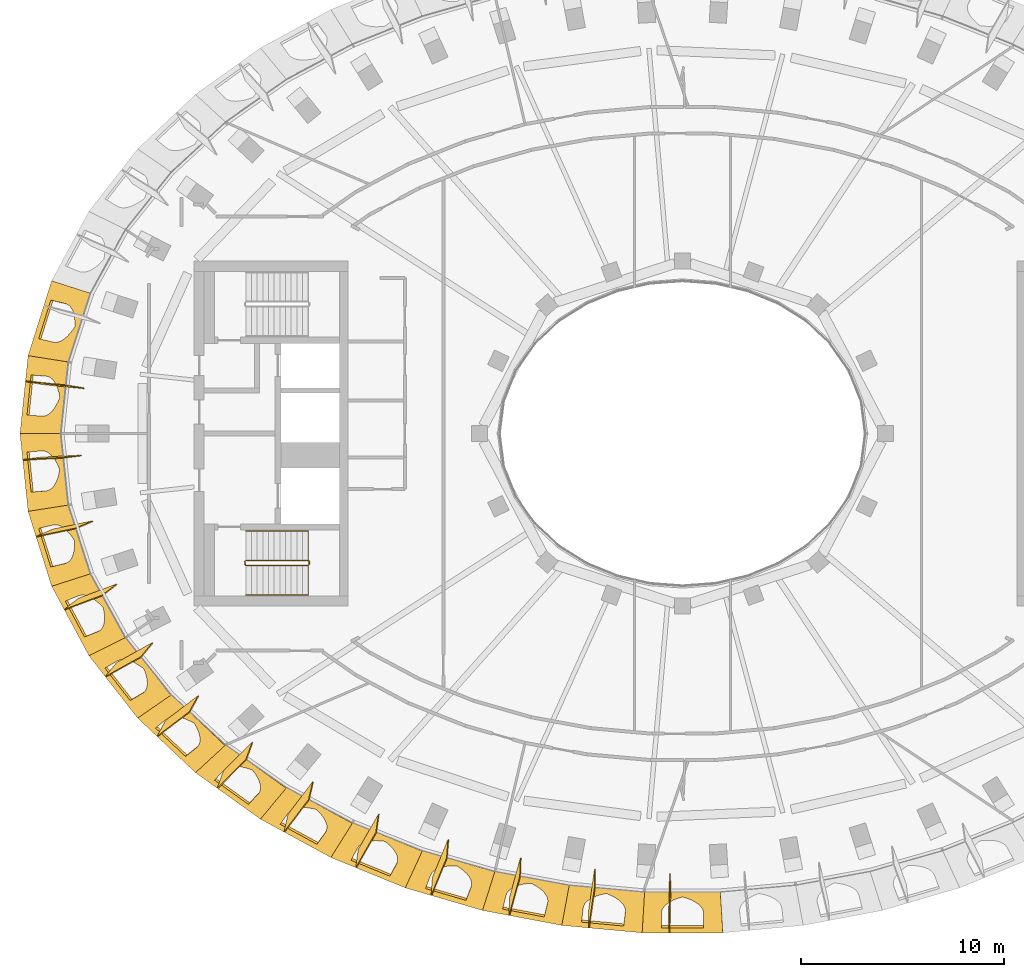
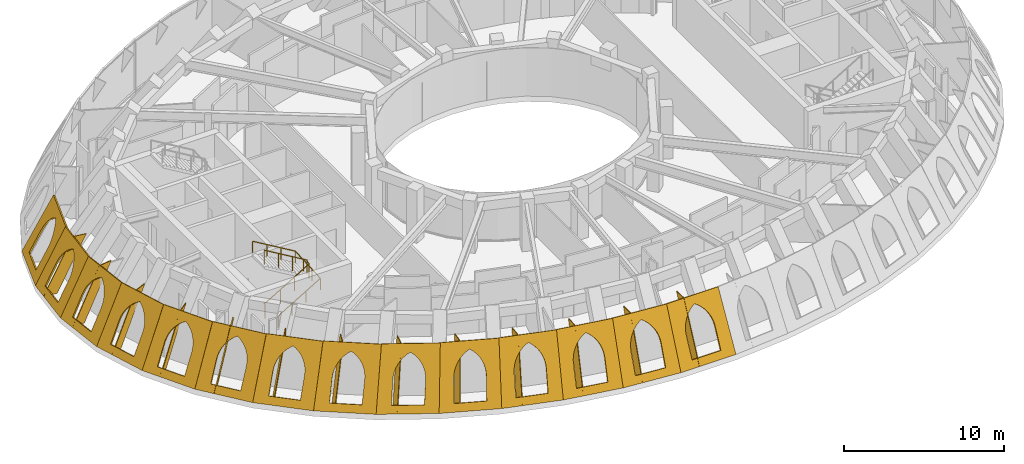
# One storey, part 10 of 13: 27 coverings, 2 railings.
"""IFC4 building model written with IfcOpenShell, lengths in metres."""

from ifc_helpers import new_model, si_unit, direction, frame, origin, origin_2d, place, context, subcontext, project, spatial, polyline, rectangle, outline, extrude, material, layer, layer_set, type_object, element, save


model = new_model("IFC4")

# Units and contexts
model_context = context("Model", 3, precision=1e-05, world=origin(), true_north=direction((0.0, 1.0)))
body_context = subcontext(model_context, "Body", "Model", "MODEL_VIEW")
ifc_project = project(units=[si_unit("LENGTHUNIT", "METRE"), si_unit("AREAUNIT", "SQUARE_METRE"), si_unit("VOLUMEUNIT", "CUBIC_METRE"), si_unit("PLANEANGLEUNIT", "RADIAN"), si_unit("MASSUNIT", "GRAM", prefix="KILO")], contexts=[model_context])

# Site, building, storey
site_placement = place(None, origin())
site = spatial("IfcSite", under=ifc_project, at=site_placement, CompositionType="ELEMENT")
building_placement = place(site_placement, origin())
building = spatial("IfcBuilding", under=site, at=building_placement, Name="Noorbagh Ring Tower", CompositionType="ELEMENT")
storey_placement = place(building_placement, frame((0.0, 0.0, 347.0)))
storey = spatial("IfcBuildingStorey", under=building, at=storey_placement, Name="L76", CompositionType="ELEMENT", Elevation=347.0)

# Railings
ifc_material_1 = material(Name="Stainless steel", Category="steel")
railing_type_1 = type_object("IfcRailingType", Name="CORE-STAIR-GUARD", PredefinedType="GUARDRAIL", material=ifc_material_1)
railing_1_placement = place(storey_placement, frame((-21.580078125, -6.449951171875, 0.0)))
element("IfcRailing", 1, at=railing_1_placement, inside=storey, type_object=railing_type_1, Name="L76 ST2 stair guard", PredefinedType="GUARDRAIL", context=body_context, shape_type="SweptSolid", body=[
    extrude(rectangle(XDim=0.048095703125, YDim=0.048095703125, at=origin_2d()), frame((0.0, 0.0, 1.076171875), z_axis=(0.0, 1.0, 0.0), x_axis=(-1.0, 0.0, 0.0)), (0.0, 0.0, 1.0), 0.14990234375),
    extrude(rectangle(XDim=0.048095703125, YDim=0.048095703125, at=origin_2d()), frame((0.0, 0.14990234375, 1.076171875), z_axis=(0.188775798145, -0.754182335027, 0.628945707965), x_axis=(0.970072785993, 0.242814311512, 0.0)), (0.0, 0.0, 1.0), 0.26513671875),
    extrude(rectangle(XDim=0.048095703125, YDim=0.048095703125, at=origin_2d()), frame((0.050048828125, -0.050048828125, 1.24267578125), z_axis=(0.859308565015, 0.0, 0.511457515432), x_axis=(0.0, 1.0, 0.0)), (0.0, 0.0, 1.0), 3.58447265625),
    extrude(rectangle(XDim=0.048095703125, YDim=0.048095703125, at=origin_2d()), frame((3.130126953125, -0.050048828125, 3.076171875), z_axis=(0.707106781187, 0.707106781187, 0.0), x_axis=(-0.707106781187, 0.707106781187, 0.0)), (0.0, 0.0, 1.0), 0.07080078125),
    extrude(rectangle(XDim=0.048095703125, YDim=0.048095703125, at=origin_2d()), frame((3.18017578125, 0.0, 3.076171875), z_axis=(0.0, 1.0, 0.0), x_axis=(-1.0, 0.0, 0.0)), (0.0, 0.0, 1.0), 0.14990234375),
    extrude(rectangle(XDim=0.048095703125, YDim=0.048095703125, at=origin_2d()), frame((3.18017578125, 0.14990234375, 3.076171875), z_axis=(-0.27628659633, 0.27628659633, 0.920506074601), x_axis=(-0.707106781187, -0.707106781187, 0.0)), (0.0, 0.0, 1.0), 0.18115234375),
    extrude(rectangle(XDim=0.048095703125, YDim=0.048095703125, at=origin_2d()), frame((3.130126953125, 0.199951171875, 3.24267578125), z_axis=(-0.859308565015, 0.0, 0.511457515432), x_axis=(0.0, -1.0, 0.0)), (0.0, 0.0, 1.0), 3.58447265625),
    extrude(rectangle(XDim=0.0419921875, YDim=0.0419921875, at=origin_2d()), origin(), (0.0, 0.0, 1.0), 1.052001953125),
    extrude(rectangle(XDim=0.0419921875, YDim=0.0419921875, at=origin_2d()), frame((1.07666015625, -0.050048828125, 0.77783203125)), (0.0, 0.0, 1.0), 1.052001953125),
    extrude(rectangle(XDim=0.0419921875, YDim=0.0419921875, at=origin_2d()), frame((2.103515625, -0.050048828125, 1.388916015625)), (0.0, 0.0, 1.0), 1.052001953125),
    extrude(rectangle(XDim=0.0419921875, YDim=0.0419921875, at=origin_2d()), frame((3.130126953125, -0.050048828125, 2.0)), (0.0, 0.0, 1.0), 1.052001953125),
    extrude(rectangle(XDim=0.0419921875, YDim=0.0419921875, at=origin_2d()), frame((3.130126953125, 0.199951171875, 2.166748046875)), (0.0, 0.0, 1.0), 1.052001953125),
    extrude(rectangle(XDim=0.0419921875, YDim=0.0419921875, at=origin_2d()), frame((2.103515625, 0.199951171875, 2.77783203125)), (0.0, 0.0, 1.0), 1.052001953125),
    extrude(rectangle(XDim=0.0419921875, YDim=0.0419921875, at=origin_2d()), frame((1.07666015625, 0.199951171875, 3.388916015625)), (0.0, 0.0, 1.0), 1.052001953125),
    extrude(rectangle(XDim=0.0419921875, YDim=0.0419921875, at=origin_2d()), frame((0.050048828125, 0.199951171875, 4.0)), (0.0, 0.0, 1.0), 1.052001953125),
])
ifc_material_2 = material(Name="Stainless steel", Category="steel")
railing_type_2 = type_object("IfcRailingType", Name="CORE-STAIR-HANDRAIL", PredefinedType="HANDRAIL", material=ifc_material_2)
railing_2_placement = place(storey_placement, frame((-21.530029296875, -7.949951171875, 0.166748046875)))
element("IfcRailing", 2, at=railing_2_placement, inside=storey, type_object=railing_type_2, Name="L76 ST2 stair handrail", PredefinedType="HANDRAIL", context=body_context, shape_type="SweptSolid", body=[
    extrude(rectangle(XDim=0.048095703125, YDim=0.048095703125, at=origin_2d()), frame((0.0, 0.0, 0.8759765625), z_axis=(0.859308565015, 0.0, 0.511457515432), x_axis=(0.0, 1.0, 0.0)), (0.0, 0.0, 1.0), 3.58447265625),
    extrude(rectangle(XDim=0.048095703125, YDim=0.048095703125, at=origin_2d()), frame((3.080078125, 0.0, 2.708984375), z_axis=(0.0, 0.998601747152, 0.052863509014), x_axis=(-1.0, 0.0, 0.0)), (0.0, 0.0, 1.0), 3.154296875),
    extrude(rectangle(XDim=0.048095703125, YDim=0.048095703125, at=origin_2d()), frame((3.080078125, 3.14990234375, 2.8759765625), z_axis=(-0.859308565015, 0.0, 0.511457515432), x_axis=(0.0, -1.0, 0.0)), (0.0, 0.0, 1.0), 3.58447265625),
    extrude(rectangle(XDim=0.0419921875, YDim=0.0419921875, at=origin_2d()), origin(), (0.0, 0.0, 1.0), 0.851806640625),
    extrude(rectangle(XDim=0.0419921875, YDim=0.0419921875, at=origin_2d()), frame((1.026611328125, 0.0, 0.611083984375)), (0.0, 0.0, 1.0), 0.851806640625),
    extrude(rectangle(XDim=0.0419921875, YDim=0.0419921875, at=origin_2d()), frame((2.053466796875, 0.0, 1.22216796875)), (0.0, 0.0, 1.0), 0.851806640625),
    extrude(rectangle(XDim=0.0419921875, YDim=0.0419921875, at=origin_2d()), frame((3.080078125, 0.0, 1.833251953125)), (0.0, 0.0, 1.0), 0.851806640625),
    extrude(rectangle(XDim=0.0419921875, YDim=0.0419921875, at=origin_2d()), frame((3.080078125, 1.050048828125, 1.888916015625)), (0.0, 0.0, 1.0), 0.851806640625),
    extrude(rectangle(XDim=0.0419921875, YDim=0.0419921875, at=origin_2d()), frame((3.080078125, 2.099853515625, 1.9443359375)), (0.0, 0.0, 1.0), 0.851806640625),
    extrude(rectangle(XDim=0.0419921875, YDim=0.0419921875, at=origin_2d()), frame((3.080078125, 3.14990234375, 2.0)), (0.0, 0.0, 1.0), 0.851806640625),
    extrude(rectangle(XDim=0.0419921875, YDim=0.0419921875, at=origin_2d()), frame((2.053466796875, 3.14990234375, 2.611083984375)), (0.0, 0.0, 1.0), 0.851806640625),
    extrude(rectangle(XDim=0.0419921875, YDim=0.0419921875, at=origin_2d()), frame((1.026611328125, 3.14990234375, 3.22216796875)), (0.0, 0.0, 1.0), 0.851806640625),
    extrude(rectangle(XDim=0.0419921875, YDim=0.0419921875, at=origin_2d()), frame((0.0, 3.14990234375, 3.833251953125)), (0.0, 0.0, 1.0), 0.851806640625),
])

# Coverings
ifc_material_3 = material(Name="Aluminium 6063-T6 black anodised", Category="aluminium")
ifc_layer_1 = layer(ifc_material_3, 0.050048828125)
ifc_layer_set_1 = layer_set([ifc_layer_1], Name="Aluminium 6063-T6 black anodised")
covering_type_1 = type_object("IfcCoveringType", Name="STYLE-HEAD-FIN", PredefinedType="CLADDING", material=ifc_layer_set_1)
covering_1_placement = place(storey_placement, frame((-32.395263671875, 2.55908203125, 0.0), z_axis=(-0.152266223967, -0.988035595767, 0.024508336039), x_axis=(0.447786422515, -0.046859612406, 0.892911807815)))
element("IfcCovering", 3, at=covering_1_placement, inside=storey, type_object=covering_type_1, Name="Fin rib F23 L76", ObjectType="FIN", PredefinedType="CLADDING", context=body_context, shape_type="SweptSolid", body=[
    extrude(outline(polyline([(0.0, 0.0), (4.478362446729819, 2.220446049250313e-16), (4.883055083301, -0.8037970037599129), (0.4047905190931795, -0.8039762384741336), (0.0, 0.0)])), origin(), (0.0, 0.0, -1.0), 0.050048828125),
])
covering_2_placement = place(storey_placement, frame((-32.52783203125, -1.279541015625, 0.0), z_axis=(-0.128911329579, 0.99089570896, 0.038827349512), x_axis=(0.448635865822, 0.023358188876, 0.89340934342)))
element("IfcCovering", 4, at=covering_2_placement, inside=storey, type_object=covering_type_1, Name="Fin rib F24 L76", ObjectType="FIN", PredefinedType="CLADDING", context=body_context, shape_type="SweptSolid", body=[
    extrude(outline(polyline([(0.0, 0.0), (4.478602590299864, 0.0), (4.881650097009732, 0.8045605100730973), (0.4030418040270383, 0.8045281394852348), (0.0, 0.0)])), origin(), (0.0, 0.0, -1.0), 0.050048828125),
])
covering_3_placement = place(storey_placement, frame((-31.875244140625, -5.069091796875, 0.0), z_axis=(-0.39159249421, 0.914930687955, 0.097760701289), x_axis=(0.438846254761, 0.092323644473, 0.893806639802)))
element("IfcCovering", 5, at=covering_3_placement, inside=storey, type_object=covering_type_1, Name="Fin rib F25 L76", ObjectType="FIN", PredefinedType="CLADDING", context=body_context, shape_type="SweptSolid", body=[
    extrude(outline(polyline([(0.0, 0.0), (4.478506413757497, 0.0), (4.874287478667474, 0.8082416595063522), (0.3958036048622417, 0.8083375847722325), (0.0, 0.0)])), origin(), (0.0, 0.0, -1.0), 0.050048828125),
])
covering_4_placement = place(storey_placement, frame((-30.488525390625, -8.670166015625, 0.0), z_axis=(-0.604780825543, 0.782981166417, 0.145535721018), x_axis=(0.419244163894, 0.157640928264, 0.894082584987)))
element("IfcCovering", 6, at=covering_4_placement, inside=storey, type_object=covering_type_1, Name="Fin rib F26 L76", ObjectType="FIN", PredefinedType="CLADDING", context=body_context, shape_type="SweptSolid", body=[
    extrude(outline(polyline([(0.0, 0.0), (4.478771237305574, 2.220446049250313e-16), (4.864049615591115, 0.8131934519856807), (0.38541921937249257, 0.8135056703559531), (0.0, 0.0)])), origin(), (0.0, 0.0, -1.0), 0.050048828125),
])
covering_5_placement = place(storey_placement, frame((-28.46240234375, -11.977294921875, 0.0), z_axis=(-0.758388473528, 0.626674691482, 0.179236587436), x_axis=(0.391166048107, 0.217623103084, 0.894219943757)))
element("IfcCovering", 7, at=covering_5_placement, inside=storey, type_object=covering_type_1, Name="Fin rib F27 L76", ObjectType="FIN", PredefinedType="CLADDING", context=body_context, shape_type="SweptSolid", body=[
    extrude(outline(polyline([(0.0, 0.0), (4.4786481802036056, -2.220446049250313e-16), (4.853878341316884, 0.8180669263283444), (0.3751770304728771, 0.8178842414246023), (0.0, 0.0)])), origin(), (0.0, 0.0, -1.0), 0.050048828125),
])
covering_6_placement = place(storey_placement, frame((-25.91015625, -14.92529296875, 0.0), z_axis=(-0.858666056059, 0.472472389415, 0.198651567857), x_axis=(0.356099462529, 0.271190813205, 0.8942307955)))
element("IfcCovering", 8, at=covering_6_placement, inside=storey, type_object=covering_type_1, Name="Fin rib F28 L76", ObjectType="FIN", PredefinedType="CLADDING", context=body_context, shape_type="SweptSolid", body=[
    extrude(outline(polyline([(0.0, 0.0), (4.478864327286876, 0.0), (4.847207850618184, 0.8212110930282253), (0.3682773146366782, 0.8210063602775113), (0.0, 0.0)])), origin(), (0.0, 0.0, -1.0), 0.050048828125),
])
covering_7_placement = place(storey_placement, frame((-22.940673828125, -17.482666015625, 0.0), z_axis=(-0.9193034568, 0.33604232368, 0.204833373774), x_axis=(0.315411030488, 0.317840806041, 0.894143782544)))
element("IfcCovering", 9, at=covering_7_placement, inside=storey, type_object=covering_type_1, Name="Fin rib F29 L76", ObjectType="FIN", PredefinedType="CLADDING", context=body_context, shape_type="SweptSolid", body=[
    extrude(outline(polyline([(0.0, 0.0), (4.479040034743007, 0.0), (4.8450946792935445, 0.822054109770618), (0.3661316491966529, 0.8221115721118696), (0.0, 0.0)])), origin(), (0.0, 0.0, -1.0), 0.050048828125),
])
covering_8_placement = place(storey_placement, frame((-19.648681640625, -19.639892578125, 0.0), z_axis=(-0.953982686729, 0.224638531499, 0.198631728552), x_axis=(0.270289196413, 0.357342424054, 0.894007909514)))
element("IfcCovering", 10, at=covering_8_placement, inside=storey, type_object=covering_type_1, Name="Fin rib F30 L76", ObjectType="FIN", PredefinedType="CLADDING", context=body_context, shape_type="SweptSolid", body=[
    extrude(outline(polyline([(0.0, 0.0), (4.4791549777732005, -2.220446049250313e-16), (4.848026152308753, 0.8211309170378556), (0.36878393273280546, 0.820909589870432), (0.0, 0.0)])), origin(), (0.0, 0.0, -1.0), 0.050048828125),
])
covering_9_placement = place(storey_placement, frame((-16.113037109375, -21.399169921875, 0.0), z_axis=(-0.973573118224, 0.139539254818, 0.180787665054), x_axis=(0.221833910082, 0.389708220413, 0.893821693225)))
element("IfcCovering", 11, at=covering_9_placement, inside=storey, type_object=covering_type_1, Name="Fin rib F31 L76", ObjectType="FIN", PredefinedType="CLADDING", context=body_context, shape_type="SweptSolid", body=[
    extrude(outline(polyline([(0.0, 0.0), (4.47926263114978, -2.220446049250313e-16), (4.854766642688217, 0.8178925124472254), (0.3755040115384371, 0.8178925124472257), (0.0, 0.0)])), origin(), (0.0, 0.0, -1.0), 0.050048828125),
])
covering_10_placement = place(storey_placement, frame((-12.397705078125, -22.7685546875, 0.0), z_axis=(-0.985288966113, 0.078297558336, 0.151905054606), x_axis=(0.170756697818, 0.415086650524, 0.893613575718)))
element("IfcCovering", 12, at=covering_10_placement, inside=storey, type_object=covering_type_1, Name="Fin rib F32 L76", ObjectType="FIN", PredefinedType="CLADDING", context=body_context, shape_type="SweptSolid", body=[
    extrude(outline(polyline([(0.0, 0.0), (4.479484583037786, 0.0), (4.863979043435264, 0.8135146503441781), (0.384595799911766, 0.813735940969576), (0.0, 0.0)])), origin(), (0.0, 0.0, -1.0), 0.050048828125),
])
covering_11_placement = place(storey_placement, frame((-8.555419921875, -23.75634765625, 0.0), z_axis=(-0.992880360929, 0.036384052314, 0.113423055942), x_axis=(0.117945221911, 0.433465041525, 0.893418704977)))
element("IfcCovering", 13, at=covering_11_placement, inside=storey, type_object=covering_type_1, Name="Fin rib F33 L76", ObjectType="FIN", PredefinedType="CLADDING", context=body_context, shape_type="SweptSolid", body=[
    extrude(outline(polyline([(0.0, 0.0), (4.4793702020163035, 2.220446049250313e-16), (4.87312211069255, 0.8093153803602142), (0.39375190867624704, 0.809315380360214), (0.0, 0.0)])), origin(), (0.0, 0.0, -1.0), 0.050048828125),
])
covering_12_placement = place(storey_placement, frame((-4.630615234375, -24.3701171875, 0.0), z_axis=(-0.997700815482, 0.008255527638, 0.067267592869), x_axis=(0.063904160046, 0.4451224172, 0.893186594187)))
element("IfcCovering", 14, at=covering_12_placement, inside=storey, type_object=covering_type_1, Name="Fin rib F34 L76", ObjectType="FIN", PredefinedType="CLADDING", context=body_context, shape_type="SweptSolid", body=[
    extrude(outline(polyline([(0.0, 0.0), (4.479431729096197, 0.0), (4.880482085238831, 0.8056302535006488), (0.4010347545410606, 0.8056357634095654), (0.0, 0.0)])), origin(), (0.0, 0.0, -1.0), 0.050048828125),
])
covering_13_placement = place(storey_placement, frame((-0.6630859375, -24.61474609375, 0.0), z_axis=(-0.999794258075, -0.012068586596, 0.01630308981), x_axis=(0.009129706454, 0.449983821033, 0.892990038729)))
element("IfcCovering", 15, at=covering_13_placement, inside=storey, type_object=covering_type_1, Name="Fin rib F35 L76", ObjectType="FIN", PredefinedType="CLADDING", context=body_context, shape_type="SweptSolid", body=[
    extrude(outline(polyline([(0.0, 0.0), (4.479331025868299, 4.440892098500626e-16), (4.884284307378394, 0.8039850200484864), (0.40484119324654855, 0.8037714355999009), (0.0, 0.0)])), origin(), (0.0, 0.0, -1.0), 0.050048828125),
])
ifc_material_4 = material(Name="Red sandstone jali", Category="masonry")
ifc_layer_2 = layer(ifc_material_4, 0.1201171875)
ifc_layer_set_2 = layer_set([ifc_layer_2], Name="Red sandstone jali")
covering_type_2 = type_object("IfcCoveringType", Name="STYLE-HEAD-SKIN", PredefinedType="CLADDING", material=ifc_layer_set_2)
covering_14_placement = place(storey_placement, frame((-31.10107421875, 7.529296875, 0.0), z_axis=(-0.85150709208, 0.267962727309, 0.450701285676), x_axis=(-0.300180845028, -0.953882309444, -2.691977e-06)))
element("IfcCovering", 16, at=covering_14_placement, inside=storey, type_object=covering_type_2, Name="Head skin panel", ObjectType="HEAD SKIN", PredefinedType="CLADDING", context=body_context, shape_type="SweptSolid", body=[
    extrude(outline(polyline([(0.0, 0.0), (3.868896484375, 0.0), (3.570068359375, 4.48095703125), (0.010986328125, 4.48095703125), (0.0, 0.0)]), holes=[polyline([(0.920166015625, 0.550048828125), (0.866943359375, 2.204833984375), (0.875732421875, 2.465087890625), (0.91845703125, 2.720703125), (0.994140625, 2.967529296875), (1.10205078125, 3.201416015625), (1.239990234375, 3.418212890625), (1.405517578125, 3.6142578125), (1.595947265625, 3.7861328125), (1.80810546875, 3.930908203125), (2.029541015625, 3.7861328125), (2.23095703125, 3.6142578125), (2.4091796875, 3.418212890625), (2.56103515625, 3.201416015625), (2.683837890625, 2.967529296875), (2.775634765625, 2.720703125), (2.834716796875, 2.465087890625), (2.860107421875, 2.204833984375), (2.913330078125, 0.550048828125), (0.920166015625, 0.550048828125)])]), origin(), (0.0, 0.0, -1.0), 0.1201171875),
])
covering_15_placement = place(storey_placement, frame((-32.262451171875, 3.8388671875, 0.0), z_axis=(-0.888162791936, 0.092105334787, 0.450203800877), x_axis=(-0.103154741778, -0.994665320176, -9.376072e-06)))
element("IfcCovering", 17, at=covering_15_placement, inside=storey, type_object=covering_type_2, Name="Head skin panel", ObjectType="HEAD SKIN", PredefinedType="CLADDING", context=body_context, shape_type="SweptSolid", body=[
    extrude(outline(polyline([(0.0, 0.0), (3.859375, 0.0), (3.65087890625, 4.479736328125), (0.10693359375, 4.479736328125), (0.0, 0.0)]), holes=[polyline([(0.93115234375, 0.550048828125), (0.912353515625, 2.2109375), (0.926513671875, 2.469970703125), (0.97412109375, 2.724609375), (1.0546875, 2.970458984375), (1.1669921875, 3.203125), (1.308837890625, 3.419189453125), (1.477783203125, 3.6142578125), (1.6708984375, 3.785400390625), (1.88525390625, 3.9296875), (2.102783203125, 3.785400390625), (2.2998046875, 3.6142578125), (2.47314453125, 3.419189453125), (2.619873046875, 3.203125), (2.7373046875, 2.970458984375), (2.823486328125, 2.724609375), (2.877197265625, 2.469970703125), (2.89697265625, 2.2109375), (2.915771484375, 0.550048828125), (0.93115234375, 0.550048828125)])]), origin(), (0.0, 0.0, -1.0), 0.1201171875),
])
covering_16_placement = place(storey_placement, frame((-32.66064453125, 0.0, 0.0), z_axis=(-0.888871989762, -0.092205292931, 0.448781427615), x_axis=(0.103178063851, -0.994662901256, -2.436069e-06)))
element("IfcCovering", 18, at=covering_16_placement, inside=storey, type_object=covering_type_2, Name="Head skin panel", ObjectType="HEAD SKIN", PredefinedType="CLADDING", context=body_context, shape_type="SweptSolid", body=[
    extrude(outline(polyline([(0.0, 0.0), (3.859375, 0.0), (3.752685546875, 4.47607421875), (0.208251953125, 4.47607421875), (0.0, 0.0)]), holes=[polyline([(0.943603515625, 0.550048828125), (0.96240234375, 2.207275390625), (0.982421875, 2.46630859375), (1.035888671875, 2.720947265625), (1.1220703125, 2.966796875), (1.239501953125, 3.19970703125), (1.38623046875, 3.41552734375), (1.5595703125, 3.610595703125), (1.756591796875, 3.781982421875), (1.97412109375, 3.926025390625), (2.1884765625, 3.781982421875), (2.381591796875, 3.610595703125), (2.550537109375, 3.41552734375), (2.6923828125, 3.19970703125), (2.8046875, 2.966796875), (2.88525390625, 2.720947265625), (2.93310546875, 2.46630859375), (2.947021484375, 2.207275390625), (2.92822265625, 0.550048828125), (0.943603515625, 0.550048828125)])]), origin(), (0.0, 0.0, -1.0), 0.1201171875),
])
covering_17_placement = place(storey_placement, frame((-32.262451171875, -3.8388671875, 0.0), z_axis=(-0.853413929482, -0.268562794361, 0.446719923947), x_axis=(0.300180822224, -0.953882316621, 2.674172e-06)))
element("IfcCovering", 19, at=covering_17_placement, inside=storey, type_object=covering_type_2, Name="Head skin panel", ObjectType="HEAD SKIN", PredefinedType="CLADDING", context=body_context, shape_type="SweptSolid", body=[
    extrude(outline(polyline([(0.0, 0.0), (3.868896484375, 0.0), (3.85791015625, 4.470947265625), (0.298828125, 4.470947265625), (0.0, 0.0)]), holes=[polyline([(0.95556640625, 0.550048828125), (1.008544921875, 2.19482421875), (1.033935546875, 2.455078125), (1.09326171875, 2.710693359375), (1.184814453125, 2.957763671875), (1.3076171875, 3.19140625), (1.459716796875, 3.408203125), (1.6376953125, 3.604248046875), (1.83935546875, 3.776123046875), (2.060791015625, 3.9208984375), (2.27294921875, 3.776123046875), (2.46337890625, 3.604248046875), (2.62890625, 3.408203125), (2.766845703125, 3.19140625), (2.87451171875, 2.957763671875), (2.950439453125, 2.710693359375), (2.992919921875, 2.455078125), (3.001708984375, 2.19482421875), (2.94873046875, 0.550048828125), (0.95556640625, 0.550048828125)])]), origin(), (0.0, 0.0, -1.0), 0.1201171875),
])
covering_18_placement = place(storey_placement, frame((-31.10107421875, -7.529296875, 0.0), z_axis=(-0.789087292879, -0.423762595619, 0.444709463326), x_axis=(0.473120328565, -0.880997817646, -1.535086e-06)))
element("IfcCovering", 20, at=covering_18_placement, inside=storey, type_object=covering_type_2, Name="Head skin panel", ObjectType="HEAD SKIN", PredefinedType="CLADDING", context=body_context, shape_type="SweptSolid", body=[
    extrude(outline(polyline([(0.0, 0.0), (3.884521484375, 0.0), (3.95068359375, 4.4658203125), (0.366455078125, 4.4658203125), (0.0, 0.0)]), holes=[polyline([(0.965576171875, 0.550048828125), (1.044189453125, 2.177734375), (1.07421875, 2.439697265625), (1.137939453125, 2.697265625), (1.234375, 2.94580078125), (1.36181640625, 3.181396484375), (1.518310546875, 3.399658203125), (1.700927734375, 3.596923828125), (1.90673828125, 3.77001953125), (2.132080078125, 3.916015625), (2.34326171875, 3.77001953125), (2.5322265625, 3.596923828125), (2.69580078125, 3.399658203125), (2.831298828125, 3.181396484375), (2.935791015625, 2.94580078125), (3.00830078125, 2.697265625), (3.047119140625, 2.439697265625), (3.051513671875, 2.177734375), (2.97265625, 0.550048828125), (0.965576171875, 0.550048828125)])]), origin(), (0.0, 0.0, -1.0), 0.1201171875),
])
covering_19_placement = place(storey_placement, frame((-29.26318359375, -10.95166015625, 0.0), z_axis=(-0.706567962387, -0.551577734059, 0.443309956822), x_axis=(0.615351346925, -0.788252954147, 1.0757789e-05)))
element("IfcCovering", 21, at=covering_19_placement, inside=storey, type_object=covering_type_2, Name="Head skin panel", ObjectType="HEAD SKIN", PredefinedType="CLADDING", context=body_context, shape_type="SweptSolid", body=[
    extrude(outline(polyline([(0.0, 0.0), (3.903564453125, 0.0), (4.020263671875, 4.46240234375), (0.406494140625, 4.46240234375), (0.0, 0.0)]), holes=[polyline([(0.97216796875, 0.550048828125), (1.06640625, 2.159912109375), (1.099365234375, 2.42431640625), (1.166259765625, 2.683837890625), (1.26611328125, 2.934326171875), (1.39697265625, 3.171875), (1.556884765625, 3.391845703125), (1.7431640625, 3.5908203125), (1.952392578125, 3.765380859375), (2.18115234375, 3.91259765625), (2.392578125, 3.765380859375), (2.581298828125, 3.5908203125), (2.744140625, 3.391845703125), (2.87841796875, 3.171875), (2.9814453125, 2.934326171875), (3.052001953125, 2.683837890625), (3.08837890625, 2.42431640625), (3.090087890625, 2.159912109375), (2.99560546875, 0.550048828125), (0.97216796875, 0.550048828125)])]), origin(), (0.0, 0.0, -1.0), 0.1201171875),
])
covering_20_placement = place(storey_placement, frame((-26.861083984375, -14.028564453125, 0.0), z_axis=(-0.615197839234, -0.652271200106, 0.442802326229), x_axis=(0.727477581261, -0.686131451513, -2.595348e-06)))
element("IfcCovering", 22, at=covering_20_placement, inside=storey, type_object=covering_type_2, Name="Head skin panel", ObjectType="HEAD SKIN", PredefinedType="CLADDING", context=body_context, shape_type="SweptSolid", body=[
    extrude(outline(polyline([(0.0, 0.0), (3.92138671875, 0.0), (4.062255859375, 4.461181640625), (0.419921875, 4.461181640625), (0.0, 0.0)]), holes=[polyline([(0.9755859375, 0.550048828125), (1.07568359375, 2.14501953125), (1.10986328125, 2.4111328125), (1.178466796875, 2.6728515625), (1.280029296875, 2.92529296875), (1.4130859375, 3.164794921875), (1.5751953125, 3.386474609375), (1.763916015625, 3.587158203125), (1.975341796875, 3.762939453125), (2.20654296875, 3.911376953125), (2.419189453125, 3.762939453125), (2.608642578125, 3.587158203125), (2.77197265625, 3.386474609375), (2.90625, 3.164794921875), (3.00927734375, 2.92529296875), (3.0791015625, 2.6728515625), (3.11474609375, 2.4111328125), (3.115478515625, 2.14501953125), (3.01513671875, 0.550048828125), (0.9755859375, 0.550048828125)])]), origin(), (0.0, 0.0, -1.0), 0.1201171875),
])
covering_21_placement = place(storey_placement, frame((-24.00830078125, -16.71923828125, 0.0), z_axis=(-0.521443817269, -0.729186803852, 0.443151159899), x_axis=(0.813415611869, -0.581682939617, -1.1242022e-05)))
element("IfcCovering", 23, at=covering_21_placement, inside=storey, type_object=covering_type_2, Name="Head skin panel", ObjectType="HEAD SKIN", PredefinedType="CLADDING", context=body_context, shape_type="SweptSolid", body=[
    extrude(outline(polyline([(0.0, 0.0), (3.937744140625, 0.0), (4.078857421875, 4.462158203125), (0.4111328125, 4.4619140625), (0.0, 0.0)]), holes=[polyline([(0.975830078125, 0.550048828125), (1.073974609375, 2.13330078125), (1.108154296875, 2.4013671875), (1.1767578125, 2.664794921875), (1.27880859375, 2.919189453125), (1.41259765625, 3.160400390625), (1.57568359375, 3.3837890625), (1.765380859375, 3.585693359375), (1.978515625, 3.7626953125), (2.2109375, 3.912109375), (2.425048828125, 3.7626953125), (2.6162109375, 3.585693359375), (2.78076171875, 3.3837890625), (2.916259765625, 3.160400390625), (3.02001953125, 2.919189453125), (3.0908203125, 2.664794921875), (3.126953125, 2.4013671875), (3.127685546875, 2.13330078125), (3.02978515625, 0.550048828125), (0.975830078125, 0.550048828125)])]), origin(), (0.0, 0.0, -1.0), 0.1201171875),
])
covering_22_placement = place(storey_placement, frame((-20.805419921875, -19.009765625, 0.0), z_axis=(-0.428645159556, -0.78679907719, 0.444083932745), x_axis=(0.878141780594, -0.478400473435, 1.3899692e-05)))
element("IfcCovering", 24, at=covering_22_placement, inside=storey, type_object=covering_type_2, Name="Head skin panel", ObjectType="HEAD SKIN", PredefinedType="CLADDING", context=body_context, shape_type="SweptSolid", body=[
    extrude(outline(polyline([(0.0, 0.0), (3.951171875, 0.0), (4.073974609375, 4.46435546875), (0.385009765625, 4.46435546875), (0.0, 0.0)]), holes=[polyline([(0.97412109375, 0.550048828125), (1.0634765625, 2.12548828125), (1.096435546875, 2.39501953125), (1.164306640625, 2.66015625), (1.265625, 2.916015625), (1.39892578125, 3.158203125), (1.561767578125, 3.383056640625), (1.75146484375, 3.586181640625), (1.96484375, 3.764404296875), (2.197998046875, 3.914306640625), (2.414306640625, 3.764404296875), (2.607177734375, 3.586181640625), (2.773681640625, 3.383056640625), (2.9111328125, 3.158203125), (3.016845703125, 2.916015625), (3.089111328125, 2.66015625), (3.126953125, 2.39501953125), (3.129150390625, 2.12548828125), (3.039794921875, 0.550048828125), (0.97412109375, 0.550048828125)])]), origin(), (0.0, 0.0, -1.0), 0.1201171875),
])
covering_23_placement = place(storey_placement, frame((-17.335693359375, -20.89990234375, 0.0), z_axis=(-0.33839260244, -0.828933588975, 0.445375742136), x_axis=(0.925823732903, -0.377955573127, -1.8338063e-05)))
element("IfcCovering", 25, at=covering_23_placement, inside=storey, type_object=covering_type_2, Name="Head skin panel", ObjectType="HEAD SKIN", PredefinedType="CLADDING", context=body_context, shape_type="SweptSolid", body=[
    extrude(outline(polyline([(0.0, 0.0), (3.9619140625, 0.0), (4.051025390625, 4.467529296875), (0.345458984375, 4.467529296875), (0.0, 0.0)]), holes=[polyline([(0.97021484375, 0.550048828125), (1.04638671875, 2.12060546875), (1.077392578125, 2.391357421875), (1.143310546875, 2.65771484375), (1.2431640625, 2.914794921875), (1.375, 3.158203125), (1.536865234375, 3.3837890625), (1.7255859375, 3.587890625), (1.9384765625, 3.766845703125), (2.17138671875, 3.91748046875), (2.389892578125, 3.766845703125), (2.585205078125, 3.587890625), (2.75439453125, 3.3837890625), (2.89404296875, 3.158203125), (3.002197265625, 2.914794921875), (3.0771484375, 2.65771484375), (3.116943359375, 2.391357421875), (3.12158203125, 2.12060546875), (3.045166015625, 0.550048828125), (0.97021484375, 0.550048828125)])]), origin(), (0.0, 0.0, -1.0), 0.1201171875),
])
covering_24_placement = place(storey_placement, frame((-13.667724609375, -22.3974609375, 0.0), z_axis=(-0.250873399214, -0.858737088475, 0.446803256977), x_axis=(0.959878730523, -0.280415446382, 1.0957775e-05)))
element("IfcCovering", 26, at=covering_24_placement, inside=storey, type_object=covering_type_2, Name="Head skin panel", ObjectType="HEAD SKIN", PredefinedType="CLADDING", context=body_context, shape_type="SweptSolid", body=[
    extrude(outline(polyline([(0.0, 0.0), (3.969482421875, 0.0), (4.0146484375, 4.470947265625), (0.296630859375, 4.47119140625), (0.0, 0.0)]), holes=[polyline([(0.96484375, 0.550048828125), (1.02490234375, 2.117919921875), (1.052978515625, 2.389892578125), (1.116455078125, 2.656982421875), (1.2138671875, 2.914794921875), (1.343505859375, 3.158935546875), (1.503662109375, 3.385498046875), (1.69091796875, 3.59033203125), (1.902587890625, 3.769775390625), (2.135009765625, 3.921142578125), (2.35546875, 3.769775390625), (2.553466796875, 3.59033203125), (2.72509765625, 3.385498046875), (2.867919921875, 3.158935546875), (2.97900390625, 2.914794921875), (3.056640625, 2.656982421875), (3.099609375, 2.389892578125), (3.10693359375, 2.117919921875), (3.046875, 0.550048828125), (0.96484375, 0.550048828125)])]), origin(), (0.0, 0.0, -1.0), 0.1201171875),
])
covering_25_placement = place(storey_placement, frame((-9.857421875, -23.510498046875, 0.0), z_axis=(-0.165809822711, -0.878471832885, 0.448100816246), x_axis=(0.982649266911, -0.185473497402, -7.64294e-07)))
element("IfcCovering", 27, at=covering_25_placement, inside=storey, type_object=covering_type_2, Name="Head skin panel", ObjectType="HEAD SKIN", PredefinedType="CLADDING", context=body_context, shape_type="SweptSolid", body=[
    extrude(outline(polyline([(0.0, 0.0), (3.975341796875, 0.0), (3.968505859375, 4.474365234375), (0.241943359375, 4.474365234375), (0.0, 0.0)]), holes=[polyline([(0.95849609375, 0.550048828125), (0.999755859375, 2.1171875), (1.02490234375, 2.389404296875), (1.085205078125, 2.6572265625), (1.1796875, 2.915771484375), (1.306884765625, 3.16064453125), (1.464599609375, 3.3876953125), (1.64990234375, 3.5927734375), (1.85986328125, 3.772705078125), (2.0908203125, 3.92431640625), (2.313720703125, 3.772705078125), (2.514404296875, 3.5927734375), (2.68896484375, 3.3876953125), (2.834716796875, 3.16064453125), (2.948974609375, 2.915771484375), (3.02978515625, 2.6572265625), (3.075927734375, 2.389404296875), (3.086669921875, 2.1171875), (3.04541015625, 0.550048828125), (0.95849609375, 0.550048828125)])]), origin(), (0.0, 0.0, -1.0), 0.1201171875),
])
covering_26_placement = place(storey_placement, frame((-5.951171875, -24.247802734375, 0.0), z_axis=(-0.082408798805, -0.889607650951, 0.44922935929), x_axis=(0.995736905662, -0.092238900129, 2.339676e-06)))
element("IfcCovering", 28, at=covering_26_placement, inside=storey, type_object=covering_type_2, Name="Head skin panel", ObjectType="HEAD SKIN", PredefinedType="CLADDING", context=body_context, shape_type="SweptSolid", body=[
    extrude(outline(polyline([(0.0, 0.0), (3.978271484375, 0.0), (3.9150390625, 4.477294921875), (0.18310546875, 4.477294921875), (0.0, 0.0)]), holes=[polyline([(0.95166015625, 0.550048828125), (0.97265625, 2.117431640625), (0.994140625, 2.39013671875), (1.051025390625, 2.658203125), (1.142333984375, 2.917236328125), (1.2666015625, 3.162353515625), (1.42138671875, 3.3896484375), (1.6044921875, 3.59521484375), (1.8125, 3.775390625), (2.041748046875, 3.92724609375), (2.26708984375, 3.775390625), (2.47021484375, 3.59521484375), (2.647705078125, 3.3896484375), (2.79638671875, 3.162353515625), (2.9140625, 2.917236328125), (2.998291015625, 2.658203125), (3.048095703125, 2.39013671875), (3.0625, 2.117431640625), (3.04150390625, 0.550048828125), (0.95166015625, 0.550048828125)])]), origin(), (0.0, 0.0, -1.0), 0.1201171875),
])
covering_27_placement = place(storey_placement, frame((-1.98974609375, -24.61474609375, 0.0), z_axis=(0.0, -0.893027481887, 0.450002129545), x_axis=(1.0, 0.0, 0.0)))
element("IfcCovering", 29, at=covering_27_placement, inside=storey, type_object=covering_type_2, Name="Head skin panel", ObjectType="HEAD SKIN", PredefinedType="CLADDING", context=body_context, shape_type="SweptSolid", body=[
    extrude(outline(polyline([(0.0, 0.0), (3.9794921875, 0.0), (3.8564453125, 4.479248046875), (0.123046875, 4.479248046875), (0.0, 0.0)]), holes=[polyline([(0.9443359375, 0.550048828125), (0.9443359375, 2.11865234375), (0.96240234375, 2.3916015625), (1.015625, 2.659912109375), (1.103515625, 2.918701171875), (1.224609375, 3.1640625), (1.37646484375, 3.391357421875), (1.556640625, 3.596923828125), (1.76220703125, 3.77734375), (1.98974609375, 3.92919921875), (2.217041015625, 3.77734375), (2.422607421875, 3.596923828125), (2.60302734375, 3.391357421875), (2.7548828125, 3.1640625), (2.8759765625, 2.918701171875), (2.9638671875, 2.659912109375), (3.01708984375, 2.3916015625), (3.03515625, 2.11865234375), (3.03515625, 0.550048828125), (0.9443359375, 0.550048828125)])]), origin(), (0.0, 0.0, -1.0), 0.1201171875),
])

save(model, "model.ifc")
